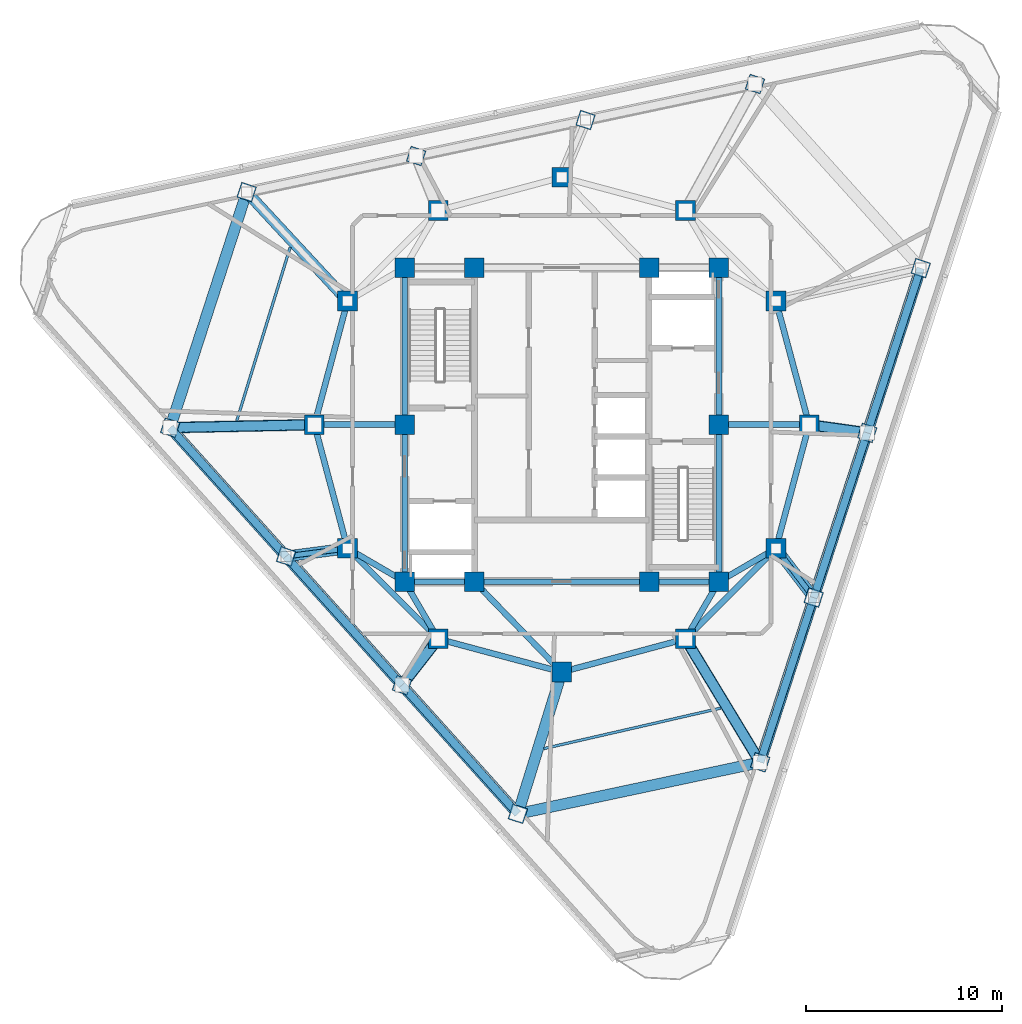
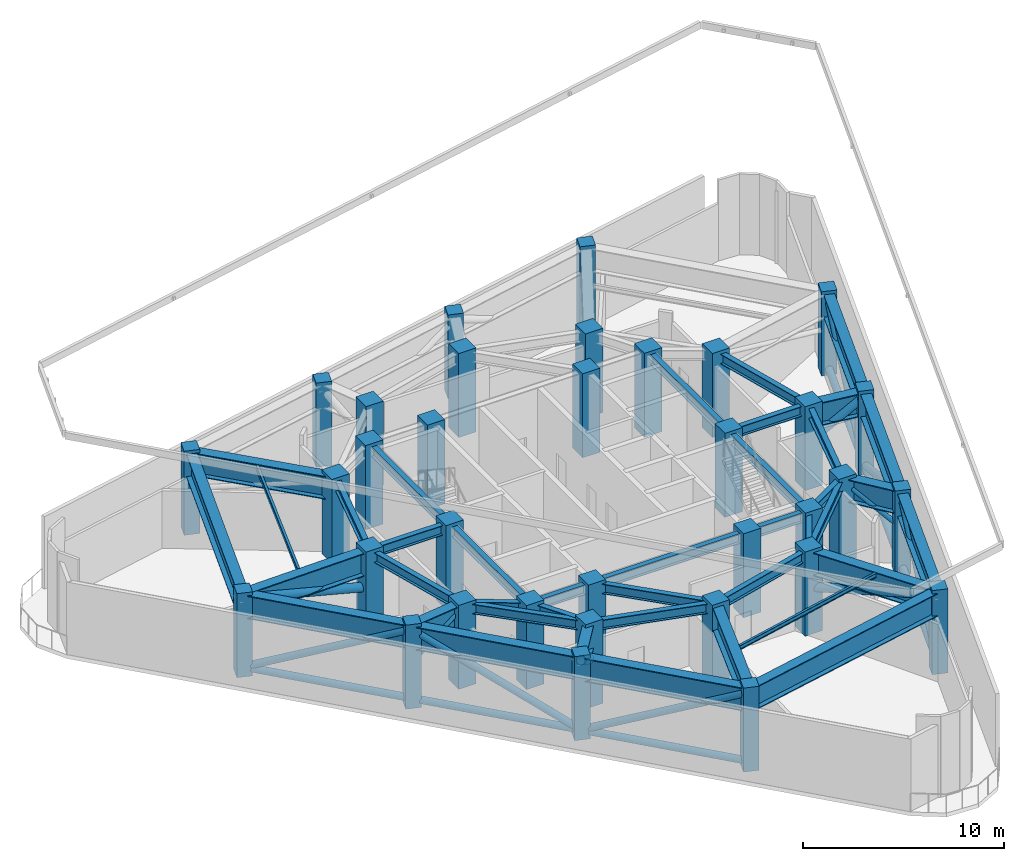
# One storey, part 1 of 10: 40 beams, 34 columns, 18 members.
"""IFC4 building model written with IfcOpenShell, lengths in metres."""

from ifc_helpers import new_model, si_unit, direction, frame, origin, origin_2d, place, context, subcontext, project, spatial, rectangle, hollow_circle, i_section, extrude, material, material_profile, profile_set, type_object, element, save


model = new_model("IFC4")

# Units and contexts
model_context = context("Model", 3, precision=1e-05, world=origin(), true_north=direction((0.0, 1.0)))
body_context = subcontext(model_context, "Body", "Model", "MODEL_VIEW")
ifc_project = project(units=[si_unit("LENGTHUNIT", "METRE"), si_unit("AREAUNIT", "SQUARE_METRE"), si_unit("VOLUMEUNIT", "CUBIC_METRE"), si_unit("PLANEANGLEUNIT", "RADIAN"), si_unit("MASSUNIT", "GRAM", prefix="KILO")], contexts=[model_context])

# Site, building, storey
site_placement = place(None, origin())
site = spatial("IfcSite", under=ifc_project, at=site_placement, CompositionType="ELEMENT")
building_placement = place(site_placement, origin())
building = spatial("IfcBuilding", under=site, at=building_placement, Name="Terralouvre Media Tower", CompositionType="ELEMENT")
storey_placement = place(building_placement, frame((0.0, 0.0, 278.10009765625)))
storey = spatial("IfcBuildingStorey", under=building, at=storey_placement, Name="L72", CompositionType="ELEMENT", Elevation=278.10009765625)

# Columns
ifc_material_1 = material(Name="Concrete C50/60", Category="concrete")
ifc_material_profile_1 = material_profile(ifc_material_1, rectangle(XDim=1.0, YDim=1.0, at=origin_2d()), Name="RC 1000x1000")
ifc_profile_set_1 = profile_set([ifc_material_profile_1], Name="Concrete C50/60")
column_type_1 = type_object("IfcColumnType", Name="Structural Column C-RC1000 (RC 1000x1000)", PredefinedType="COLUMN", material=ifc_profile_set_1)
for number, where, z_axis, x_axis, name in (
    (1, (-8.0, -8.0, 0.0), (0.0, 0.0, 1.0), (1.0, 0.0, 0.0), "L72 Core Pilaster Column CP1"),
    (2, (-4.449951171875, -8.0, 0.0), (0.0, 0.0, 1.0), (1.0, 0.0, 0.0), "L72 Core Pilaster Column CP2"),
    (3, (4.449951171875, -8.0, 0.0), (0.0, 0.0, 1.0), (1.0, 0.0, 0.0), "L72 Core Pilaster Column CP10"),
    (4, (8.0, -8.0, 0.0), (0.0, 0.0, 1.0), (1.0, 0.0, 0.0), "L72 Core Pilaster Column CP3"),
    (5, (8.0, 0.0, 0.0), (0.0, 0.0, 1.0), (1.0, 0.0, 0.0), "L72 Core Pilaster Column CP4"),
    (6, (8.0, 8.0, 0.0), (0.0, 0.0, 1.0), (1.0, 0.0, 0.0), "L72 Core Pilaster Column CP5"),
    (7, (4.449951171875, 8.0, 0.0), (0.0, 0.0, 1.0), (1.0, 0.0, 0.0), "L72 Core Pilaster Column CP9"),
    (8, (-4.449951171875, 8.0, 0.0), (0.0, 0.0, 1.0), (1.0, 0.0, 0.0), "L72 Core Pilaster Column CP6"),
    (9, (-8.0, 8.0, 0.0), (0.0, 0.0, 1.0), (1.0, 0.0, 0.0), "L72 Core Pilaster Column CP7"),
    (10, (-8.0, 0.0, 0.0), (0.0, 0.0, 1.0), (1.0, 0.0, 0.0), "L72 Core Pilaster Column CP8"),
    (11, (12.60009765625, 0.0, 0.0), (0.0, 0.0, 1.0), (1.0, 0.0, 0.0), "L72 Mega-Frame Column MC01"),
    (12, (10.911865234375, 6.300048828125, 0.0), (0.0, 0.0, 1.0), (1.0, 0.0, 0.0), "L72 Mega-Frame Column MC02"),
    (13, (6.300048828125, 10.911865234375, 0.0), (0.0, 0.0, 1.0), (1.0, 0.0, 0.0), "L72 Mega-Frame Column MC03"),
    (14, (0.0, 12.60009765625, 0.0), (0.0, 0.0, 1.0), (1.0, 0.0, 0.0), "L72 Mega-Frame Column MC04"),
    (15, (-6.300048828125, 10.911865234375, 0.0), (0.0, 0.0, 1.0), (1.0, 0.0, 0.0), "L72 Mega-Frame Column MC05"),
    (16, (-10.911865234375, 6.300048828125, 0.0), (0.0, 0.0, 1.0), (1.0, 0.0, 0.0), "L72 Mega-Frame Column MC06"),
    (17, (-12.60009765625, 0.0, 0.0), (0.0, 0.0, 1.0), (1.0, 0.0, 0.0), "L72 Mega-Frame Column MC07"),
    (18, (-10.911865234375, -6.300048828125, 0.0), (0.0, 0.0, 1.0), (1.0, 0.0, 0.0), "L72 Mega-Frame Column MC08"),
    (19, (-6.300048828125, -10.911865234375, 0.0), (0.0, 0.0, 1.0), (1.0, 0.0, 0.0), "L72 Mega-Frame Column MC09"),
    (20, (0.0, -12.60009765625, 0.0), (0.0, 0.0, 1.0), (1.0, 0.0, 0.0), "L72 Mega-Frame Column MC10"),
    (21, (6.300048828125, -10.911865234375, 0.0), (0.0, 0.0, 1.0), (1.0, 0.0, 0.0), "L72 Mega-Frame Column MC11"),
    (22, (10.911865234375, -6.300048828125, 0.0), (0.0, 0.0, 1.0), (1.0, 0.0, 0.0), "L72 Mega-Frame Column MC12"),
):
    element("IfcColumn", number, at=place(storey_placement, frame(where, z_axis=z_axis, x_axis=x_axis)), inside=storey, type_object=column_type_1, Name=name, PredefinedType="COLUMN", context=body_context, shape_type="SweptSolid", body=[
        extrude(rectangle(XDim=1.0, YDim=1.0, at=origin_2d()), origin(), (0.0, 0.0, 1.0), 5.099853515625),
    ])
ifc_material_2 = material(Name="Concrete C50/60", Category="concrete")
ifc_material_profile_2 = material_profile(ifc_material_2, rectangle(XDim=0.800048828125, YDim=0.800048828125, at=origin_2d()), Name="RC 800x800")
ifc_profile_set_2 = profile_set([ifc_material_profile_2], Name="Concrete C50/60")
column_type_2 = type_object("IfcColumnType", Name="Structural Column C-RC800 (RC 800x800)", PredefinedType="COLUMN", material=ifc_profile_set_2)
for number, where, z_axis, x_axis, name in (
    (23, (10.105712890625, -17.20068359375, 0.0), (0.0, 0.0, 1.0), (0.309016994375, 0.951056516295, 0.0), "L72 Perimeter Mega-Column PC11"),
    (24, (12.83251953125, -8.80859375, 0.0), (0.0, 0.0, 1.0), (0.309016994375, 0.951056516295, 0.0), "L72 Perimeter Mega-Column PC12"),
    (25, (15.55908203125, -0.41650390625, 0.0), (0.0, 0.0, 1.0), (0.309016994375, 0.951056516295, 0.0), "L72 Perimeter Mega-Column PC13"),
    (26, (18.285888671875, 7.9755859375, 0.0), (0.0, 0.0, 1.0), (0.309016994375, 0.951056516295, 0.0), "L72 Perimeter Mega-Column PC14"),
    (27, (9.843505859375, 17.35205078125, 0.0), (0.0, 0.0, 1.0), (0.309016994375, 0.951056516295, 0.0), "L72 Perimeter Mega-Column PC21"),
    (28, (1.212158203125, 15.517578125, 0.0), (0.0, 0.0, 1.0), (0.309016994375, 0.951056516295, 0.0), "L72 Perimeter Mega-Column PC22"),
    (29, (-7.4189453125, 13.682861328125, 0.0), (0.0, 0.0, 1.0), (0.309016994375, 0.951056516295, 0.0), "L72 Perimeter Mega-Column PC23"),
    (30, (-16.050048828125, 11.84814453125, 0.0), (0.0, 0.0, 1.0), (0.309016994375, 0.951056516295, 0.0), "L72 Perimeter Mega-Column PC24"),
    (31, (-19.948974609375, -0.1513671875, 0.0), (0.0, 0.0, 1.0), (0.309016994375, 0.951056516295, 0.0), "L72 Perimeter Mega-Column PC31"),
    (32, (-14.044677734375, -6.708984375, 0.0), (0.0, 0.0, 1.0), (0.309016994375, 0.951056516295, 0.0), "L72 Perimeter Mega-Column PC32"),
    (33, (-8.14013671875, -13.266357421875, 0.0), (0.0, 0.0, 1.0), (0.309016994375, 0.951056516295, 0.0), "L72 Perimeter Mega-Column PC33"),
    (34, (-2.23583984375, -19.823974609375, 0.0), (0.0, 0.0, 1.0), (0.309016994375, 0.951056516295, 0.0), "L72 Perimeter Mega-Column PC34"),
):
    element("IfcColumn", number, at=place(storey_placement, frame(where, z_axis=z_axis, x_axis=x_axis)), inside=storey, type_object=column_type_2, Name=name, PredefinedType="COLUMN", context=body_context, shape_type="SweptSolid", body=[
        extrude(rectangle(XDim=0.800048828125, YDim=0.800048828125, at=origin_2d()), origin(), (0.0, 0.0, 1.0), 5.099853515625),
    ])

# Members
ifc_material_3 = material(Name="Structural steel S460M", Category="steel")
ifc_material_profile_3 = material_profile(ifc_material_3, hollow_circle(Radius=0.203125, WallThickness=0.02001953125, at=origin_2d()), Name="CHS 406.4x20")
ifc_profile_set_3 = profile_set([ifc_material_profile_3], Name="Structural steel S460M")
member_type_1 = type_object("IfcMemberType", Name="Belt and Outrigger Brace BR-CHS406 (CHS 406.4x20)", PredefinedType="BRACE", material=ifc_profile_set_3)
for number, where, z_axis, x_axis, name in (
    (35, (10.105712890625, -17.20068359375, 0.349853515625), (0.279027862687, 0.858743285165, 0.429771360176), (-0.95105480575, 0.309022258842, 0.0), "L72 Belt-Truss Diagonal Brace BT01"),
    (36, (12.83251953125, -8.80859375, 4.5498046875), (0.279004825136, 0.858749271063, -0.429774355911), (-0.951062936992, 0.308997232802, 0.0), "L72 Belt-Truss Diagonal Brace BT02"),
    (37, (15.55908203125, -0.41650390625, 0.349853515625), (0.279027862687, 0.858743285165, 0.429771360176), (-0.95105480575, 0.309022258842, 0.0), "L72 Belt-Truss Diagonal Brace BT03"),
    (38, (-19.948974609375, -0.1513671875, 0.349853515625), (0.604171819396, -0.671024440497, 0.429770418833), (0.743156555935, 0.669117578136, 0.0), "L72 Belt-Truss Diagonal Brace BT07"),
    (39, (-14.044677734375, -6.708984375, 4.5498046875), (0.604197810404, -0.671000578443, -0.42977113634), (0.743130409887, 0.669146616148, 0.0), "L72 Belt-Truss Diagonal Brace BT08"),
    (40, (-8.14013671875, -13.266357421875, 0.349853515625), (0.604171819396, -0.671024440497, 0.429770418833), (0.743156555935, 0.669117578136, 0.0), "L72 Belt-Truss Diagonal Brace BT09"),
):
    element("IfcMember", number, at=place(storey_placement, frame(where, z_axis=z_axis, x_axis=x_axis)), inside=storey, type_object=member_type_1, Name=name, PredefinedType="BRACE", context=body_context, shape_type="SweptSolid", body=[
        extrude(hollow_circle(Radius=0.203125, WallThickness=0.02001953125, at=origin_2d()), origin(), (0.0, 0.0, 1.0), 9.7724609375),
    ])
ifc_material_4 = material(Name="Structural steel S460M", Category="steel")
ifc_material_profile_4 = material_profile(ifc_material_4, hollow_circle(Radius=0.25390625, WallThickness=0.02490234375, at=origin_2d()), Name="CHS 508x25")
ifc_profile_set_4 = profile_set([ifc_material_profile_4], Name="Structural steel S460M")
member_type_2 = type_object("IfcMemberType", Name="Belt and Outrigger Brace BR-CHS508 (CHS 508x25)", PredefinedType="BRACE", material=ifc_profile_set_4)
member_1_placement = place(storey_placement, frame((6.300048828125, -10.911865234375, 2.5498046875), z_axis=(0.499569022005, -0.825532360651, 0.262539737507), x_axis=(0.855543827415, 0.517730392552, 0.0)))
element("IfcMember", 41, at=member_1_placement, inside=storey, type_object=member_type_2, Name="L72 Outrigger Diagonal Brace OR01", PredefinedType="BRACE", context=body_context, shape_type="SweptSolid", body=[
    extrude(hollow_circle(Radius=0.25390625, WallThickness=0.02490234375, at=origin_2d()), origin(), (0.0, 0.0, 1.0), 7.617919921875),
])
member_2_placement = place(storey_placement, frame((12.60009765625, 0.0, 2.5498046875), z_axis=(0.82292286354, -0.115833861815, 0.556219810076), x_axis=(0.139385022682, 0.990238261961, 0.0)))
element("IfcMember", 42, at=member_2_placement, inside=storey, type_object=member_type_2, Name="L72 Outrigger Diagonal Brace OR02", PredefinedType="BRACE", context=body_context, shape_type="SweptSolid", body=[
    extrude(hollow_circle(Radius=0.25390625, WallThickness=0.02490234375, at=origin_2d()), origin(), (0.0, 0.0, 1.0), 3.595703125),
])
member_3_placement = place(storey_placement, frame((-12.60009765625, 0.0, 2.5498046875), z_axis=(-0.964714463811, -0.019870534785, 0.262547453159), x_axis=(0.020592954534, -0.999787942628, 0.0)))
element("IfcMember", 43, at=member_3_placement, inside=storey, type_object=member_type_2, Name="L72 Outrigger Diagonal Brace OR05", PredefinedType="BRACE", context=body_context, shape_type="SweptSolid", body=[
    extrude(hollow_circle(Radius=0.25390625, WallThickness=0.02490234375, at=origin_2d()), origin(), (0.0, 0.0, 1.0), 7.61767578125),
])
member_4_placement = place(storey_placement, frame((-6.300048828125, -10.911865234375, 2.5498046875), z_axis=(-0.511736914616, -0.654795118025, 0.556209208509), x_axis=(0.787920316867, -0.615777211554, 0.0)))
element("IfcMember", 44, at=member_4_placement, inside=storey, type_object=member_type_2, Name="L72 Outrigger Diagonal Brace OR06", PredefinedType="BRACE", context=body_context, shape_type="SweptSolid", body=[
    extrude(hollow_circle(Radius=0.25390625, WallThickness=0.02490234375, at=origin_2d()), origin(), (0.0, 0.0, 1.0), 3.595703125),
])

# Beams
ifc_material_5 = material(Name="Structural steel S355J2", Category="steel")
ifc_material_profile_5 = material_profile(ifc_material_5, i_section(OverallWidth=0.135009765625, OverallDepth=0.27001953125, WebThickness=0.006591796875, FlangeThickness=0.01025390625, at=origin_2d()), Name="IPE 270")
ifc_profile_set_5 = profile_set([ifc_material_profile_5], Name="Structural steel S355J2")
beam_type_1 = type_object("IfcBeamType", Name="Composite Floor Joist J-IPE270 (IPE 270)", PredefinedType="JOIST", material=ifc_profile_set_5)
beam_1_placement = place(storey_placement, frame((-0.916259765625, -16.50146484375, 4.764892578125), z_axis=(0.974792337214, 0.223114094823, 0.0), x_axis=(-0.223114094823, 0.974792337214, 0.0)))
element("IfcBeam", 45, at=beam_1_placement, inside=storey, type_object=beam_type_1, Name="L72 Framing Beam JT-L72-02", PredefinedType="JOIST", context=body_context, shape_type="SweptSolid", body=[
    extrude(i_section(OverallWidth=0.135009765625, OverallDepth=0.27001953125, WebThickness=0.006591796875, FlangeThickness=0.01025390625, at=origin_2d()), origin(), (0.0, 0.0, 1.0), 9.25732421875),
])
beam_2_placement = place(storey_placement, frame((-13.83251953125, 9.044189453125, 4.764892578125), z_axis=(-0.294195189571, -0.955745358573, 0.0), x_axis=(0.955745358573, -0.294195189571, 0.0)))
element("IfcBeam", 46, at=beam_2_placement, inside=storey, type_object=beam_type_1, Name="L72 Framing Beam JT-L72-06", PredefinedType="JOIST", context=body_context, shape_type="SweptSolid", body=[
    extrude(i_section(OverallWidth=0.135009765625, OverallDepth=0.27001953125, WebThickness=0.006591796875, FlangeThickness=0.01025390625, at=origin_2d()), origin(), (0.0, 0.0, 1.0), 9.257080078125),
])

# Members
ifc_material_6 = material(Name="Structural steel S355J2", Category="steel")
ifc_material_profile_6 = material_profile(ifc_material_6, hollow_circle(Radius=0.136474609375, WallThickness=0.012451171875, at=origin_2d()), Name="CHS 273x12.5")
ifc_profile_set_6 = profile_set([ifc_material_profile_6], Name="Structural steel S355J2")
member_type_3 = type_object("IfcMemberType", Name="Portal Knee-Brace Strut ST-CHS273 (CHS 273x12.5)", PredefinedType="STRUT", material=ifc_profile_set_6)
for number, where, z_axis, x_axis, name in (
    (47, (10.911865234375, -6.300048828125, 4.5498046875), (0.513652077044, -0.670875186428, -0.534871973452), (0.793997978086, 0.607920398404, 0.0), "L72 Refuge Outrigger Knee-Brace Strut 16"),
    (48, (-10.911865234375, -6.300048828125, 4.5498046875), (-0.837825846738, -0.109363956771, -0.534871363504), (0.129434986756, -0.991587910477, 0.0), "L72 Refuge Outrigger Knee-Brace Strut 20"),
):
    element("IfcMember", number, at=place(storey_placement, frame(where, z_axis=z_axis, x_axis=x_axis)), inside=storey, type_object=member_type_3, Name=name, PredefinedType="STRUT", context=body_context, shape_type="SweptSolid", body=[
        extrude(hollow_circle(Radius=0.136474609375, WallThickness=0.012451171875, at=origin_2d()), origin(), (0.0, 0.0, 1.0), 3.7392578125),
    ])

# Beams
ifc_material_7 = material(Name="Structural steel S460M", Category="steel")
ifc_material_profile_7 = material_profile(ifc_material_7, i_section(OverallWidth=0.300048828125, OverallDepth=0.60009765625, WebThickness=0.015380859375, FlangeThickness=0.030029296875, at=origin_2d()), Name="HEB 600")
ifc_profile_set_7 = profile_set([ifc_material_profile_7], Name="Structural steel S460M")
beam_type_2 = type_object("IfcBeamType", Name="Primary Floor Girder B-HEB600 (HEB 600)", PredefinedType="BEAM", material=ifc_profile_set_7)
beam_3_placement = place(storey_placement, frame((-8.0, -8.0, 4.599853515625), z_axis=(1.0, 0.0, 0.0), x_axis=(0.0, 1.0, 0.0)))
element("IfcBeam", 49, at=beam_3_placement, inside=storey, type_object=beam_type_2, Name="L72 Framing Beam BM-L72-CPR01", PredefinedType="BEAM", context=body_context, shape_type="SweptSolid", body=[
    extrude(i_section(OverallWidth=0.300048828125, OverallDepth=0.60009765625, WebThickness=0.015380859375, FlangeThickness=0.030029296875, at=origin_2d()), origin(), (0.0, 0.0, 1.0), 3.550048828125),
])
beam_4_placement = place(storey_placement, frame((-4.449951171875, -8.0, 4.599853515625), z_axis=(1.0, 0.0, 0.0), x_axis=(0.0, 1.0, 0.0)))
element("IfcBeam", 50, at=beam_4_placement, inside=storey, type_object=beam_type_2, Name="L72 Framing Beam BM-L72-CPR02", PredefinedType="BEAM", context=body_context, shape_type="SweptSolid", body=[
    extrude(i_section(OverallWidth=0.300048828125, OverallDepth=0.60009765625, WebThickness=0.015380859375, FlangeThickness=0.030029296875, at=origin_2d()), origin(), (0.0, 0.0, 1.0), 8.89990234375),
])
beam_5_placement = place(storey_placement, frame((4.449951171875, -8.0, 4.599853515625), z_axis=(1.0, 0.0, 0.0), x_axis=(0.0, 1.0, 0.0)))
element("IfcBeam", 51, at=beam_5_placement, inside=storey, type_object=beam_type_2, Name="L72 Framing Beam BM-L72-CPR03", PredefinedType="BEAM", context=body_context, shape_type="SweptSolid", body=[
    extrude(i_section(OverallWidth=0.300048828125, OverallDepth=0.60009765625, WebThickness=0.015380859375, FlangeThickness=0.030029296875, at=origin_2d()), origin(), (0.0, 0.0, 1.0), 3.550048828125),
])
for number, where, z_axis, x_axis, name in (
    (52, (8.0, -8.0, 4.599853515625), (0.0, 1.0, 0.0), (-1.0, 0.0, 0.0), "L72 Framing Beam BM-L72-CPR04"),
    (53, (8.0, 0.0, 4.599853515625), (0.0, 1.0, 0.0), (-1.0, 0.0, 0.0), "L72 Framing Beam BM-L72-CPR05"),
    (54, (-8.0, 8.0, 4.599853515625), (0.0, -1.0, 0.0), (1.0, 0.0, 0.0), "L72 Framing Beam BM-L72-CPR09"),
    (55, (-8.0, 0.0, 4.599853515625), (0.0, -1.0, 0.0), (1.0, 0.0, 0.0), "L72 Framing Beam BM-L72-CPR10"),
):
    element("IfcBeam", number, at=place(storey_placement, frame(where, z_axis=z_axis, x_axis=x_axis)), inside=storey, type_object=beam_type_2, Name=name, PredefinedType="BEAM", context=body_context, shape_type="SweptSolid", body=[
        extrude(i_section(OverallWidth=0.300048828125, OverallDepth=0.60009765625, WebThickness=0.015380859375, FlangeThickness=0.030029296875, at=origin_2d()), origin(), (0.0, 0.0, 1.0), 8.0),
    ])
beam_6_placement = place(storey_placement, frame((-10.911865234375, -6.300048828125, 4.599853515625), z_axis=(0.707106781187, -0.707106781187, 0.0), x_axis=(0.707106781187, 0.707106781187, 0.0)))
element("IfcBeam", 56, at=beam_6_placement, inside=storey, type_object=beam_type_2, Name="L72 Framing Beam BM-L72-MR01", PredefinedType="BEAM", context=body_context, shape_type="SweptSolid", body=[
    extrude(i_section(OverallWidth=0.300048828125, OverallDepth=0.60009765625, WebThickness=0.015380859375, FlangeThickness=0.030029296875, at=origin_2d()), origin(), (0.0, 0.0, 1.0), 6.52197265625),
])
for number, where, z_axis, x_axis, name in (
    (57, (-6.300048828125, -10.911865234375, 4.599853515625), (0.965920481897, -0.258838989821, 0.0), (0.258838989821, 0.965920481897, 0.0), "L72 Framing Beam BM-L72-MR02"),
    (58, (0.0, -12.60009765625, 4.599853515625), (0.965920481897, 0.258838989821, 0.0), (-0.258838989821, 0.965920481897, 0.0), "L72 Framing Beam BM-L72-MR03"),
):
    element("IfcBeam", number, at=place(storey_placement, frame(where, z_axis=z_axis, x_axis=x_axis)), inside=storey, type_object=beam_type_2, Name=name, PredefinedType="BEAM", context=body_context, shape_type="SweptSolid", body=[
        extrude(i_section(OverallWidth=0.300048828125, OverallDepth=0.60009765625, WebThickness=0.015380859375, FlangeThickness=0.030029296875, at=origin_2d()), origin(), (0.0, 0.0, 1.0), 6.522216796875),
    ])
beam_7_placement = place(storey_placement, frame((6.300048828125, -10.911865234375, 4.599853515625), z_axis=(0.707106781187, 0.707106781187, 0.0), x_axis=(-0.707106781187, 0.707106781187, 0.0)))
element("IfcBeam", 59, at=beam_7_placement, inside=storey, type_object=beam_type_2, Name="L72 Framing Beam BM-L72-MR04", PredefinedType="BEAM", context=body_context, shape_type="SweptSolid", body=[
    extrude(i_section(OverallWidth=0.300048828125, OverallDepth=0.60009765625, WebThickness=0.015380859375, FlangeThickness=0.030029296875, at=origin_2d()), origin(), (0.0, 0.0, 1.0), 6.52197265625),
])
for number, where, z_axis, x_axis, name in (
    (60, (10.911865234375, -6.300048828125, 4.599853515625), (0.258838989821, 0.965920481897, 0.0), (-0.965920481897, 0.258838989821, 0.0), "L72 Framing Beam BM-L72-MR05"),
    (61, (12.60009765625, 0.0, 4.599853515625), (-0.258838989821, 0.965920481897, 0.0), (-0.965920481897, -0.258838989821, 0.0), "L72 Framing Beam BM-L72-MR06"),
    (62, (-10.911865234375, 6.300048828125, 4.599853515625), (-0.258838989821, -0.965920481897, 0.0), (0.965920481897, -0.258838989821, 0.0), "L72 Framing Beam BM-L72-MR11"),
    (63, (-12.60009765625, 0.0, 4.599853515625), (0.258838989821, -0.965920481897, 0.0), (0.965920481897, 0.258838989821, 0.0), "L72 Framing Beam BM-L72-MR12"),
):
    element("IfcBeam", number, at=place(storey_placement, frame(where, z_axis=z_axis, x_axis=x_axis)), inside=storey, type_object=beam_type_2, Name=name, PredefinedType="BEAM", context=body_context, shape_type="SweptSolid", body=[
        extrude(i_section(OverallWidth=0.300048828125, OverallDepth=0.60009765625, WebThickness=0.015380859375, FlangeThickness=0.030029296875, at=origin_2d()), origin(), (0.0, 0.0, 1.0), 6.522216796875),
    ])
for number, where, z_axis, x_axis, name in (
    (64, (-8.0, -8.0, 4.599853515625), (-0.863602894532, 0.504172629717, 0.0), (-0.504172629717, -0.863602894532, 0.0), "L72 Framing Beam BM-L72-CM01"),
    (65, (-8.0, -8.0, 4.599853515625), (0.504172629717, -0.863602894532, 0.0), (0.863602894532, 0.504172629717, 0.0), "L72 Framing Beam BM-L72-CM02"),
):
    element("IfcBeam", number, at=place(storey_placement, frame(where, z_axis=z_axis, x_axis=x_axis)), inside=storey, type_object=beam_type_2, Name=name, PredefinedType="BEAM", context=body_context, shape_type="SweptSolid", body=[
        extrude(i_section(OverallWidth=0.300048828125, OverallDepth=0.60009765625, WebThickness=0.015380859375, FlangeThickness=0.030029296875, at=origin_2d()), origin(), (0.0, 0.0, 1.0), 3.371826171875),
    ])
beam_8_placement = place(storey_placement, frame((-4.449951171875, -8.0, 4.599853515625), z_axis=(0.695279715726, -0.718739255155, 0.0), x_axis=(0.718739255155, 0.695279715726, 0.0)))
element("IfcBeam", 66, at=beam_8_placement, inside=storey, type_object=beam_type_2, Name="L72 Framing Beam BM-L72-CM03", PredefinedType="BEAM", context=body_context, shape_type="SweptSolid", body=[
    extrude(i_section(OverallWidth=0.300048828125, OverallDepth=0.60009765625, WebThickness=0.015380859375, FlangeThickness=0.030029296875, at=origin_2d()), origin(), (0.0, 0.0, 1.0), 6.400146484375),
])
for number, where, z_axis, x_axis, name in (
    (67, (8.0, -8.0, 4.599853515625), (-0.504172629717, -0.863602894532, 0.0), (0.863602894532, -0.504172629717, 0.0), "L72 Framing Beam BM-L72-CM04"),
    (68, (8.0, -8.0, 4.599853515625), (0.863602894532, 0.504172629717, 0.0), (-0.504172629717, 0.863602894532, 0.0), "L72 Framing Beam BM-L72-CM05"),
):
    element("IfcBeam", number, at=place(storey_placement, frame(where, z_axis=z_axis, x_axis=x_axis)), inside=storey, type_object=beam_type_2, Name=name, PredefinedType="BEAM", context=body_context, shape_type="SweptSolid", body=[
        extrude(i_section(OverallWidth=0.300048828125, OverallDepth=0.60009765625, WebThickness=0.015380859375, FlangeThickness=0.030029296875, at=origin_2d()), origin(), (0.0, 0.0, 1.0), 3.371826171875),
    ])
for number, where, z_axis, x_axis, name in (
    (69, (8.0, 0.0, 4.599853515625), (1.0, 0.0, 0.0), (0.0, 1.0, 0.0), "L72 Framing Beam BM-L72-CM06"),
    (70, (-8.0, 0.0, 4.599853515625), (-1.0, 0.0, 0.0), (0.0, -1.0, 0.0), "L72 Framing Beam BM-L72-CM12"),
):
    element("IfcBeam", number, at=place(storey_placement, frame(where, z_axis=z_axis, x_axis=x_axis)), inside=storey, type_object=beam_type_2, Name=name, PredefinedType="BEAM", context=body_context, shape_type="SweptSolid", body=[
        extrude(i_section(OverallWidth=0.300048828125, OverallDepth=0.60009765625, WebThickness=0.015380859375, FlangeThickness=0.030029296875, at=origin_2d()), origin(), (0.0, 0.0, 1.0), 4.60009765625),
    ])

# Members
ifc_material_8 = material(Name="Structural steel S460M", Category="steel")
ifc_material_profile_8 = material_profile(ifc_material_8, hollow_circle(Radius=0.203125, WallThickness=0.02001953125, at=origin_2d()), Name="CHS 406.4x20")
ifc_profile_set_8 = profile_set([ifc_material_profile_8], Name="Structural steel S460M")
member_type_4 = type_object("IfcMemberType", Name="Truss Chord Member CH-CHS406 (CHS 406.4x20)", PredefinedType="CHORD", material=ifc_profile_set_8)
for number, where, z_axis, x_axis, name in (
    (71, (10.105712890625, -17.20068359375, 0.349853515625), (0.309022258842, 0.95105480575, 0.0), (-0.95105480575, 0.309022258842, 0.0), "L72 Belt-Truss Bottom Chord 01"),
    (72, (12.83251953125, -8.80859375, 0.349853515625), (0.308997232802, 0.951062936992, 0.0), (-0.951062936992, 0.308997232802, 0.0), "L72 Belt-Truss Bottom Chord 02"),
    (73, (15.55908203125, -0.41650390625, 0.349853515625), (0.309022258842, 0.95105480575, 0.0), (-0.95105480575, 0.309022258842, 0.0), "L72 Belt-Truss Bottom Chord 03"),
    (74, (-19.948974609375, -0.1513671875, 0.349853515625), (0.669117578136, -0.743156555935, 0.0), (0.743156555935, 0.669117578136, 0.0), "L72 Belt-Truss Bottom Chord 07"),
    (75, (-14.044677734375, -6.708984375, 0.349853515625), (0.669146616148, -0.743130409887, 0.0), (0.743130409887, 0.669146616148, 0.0), "L72 Belt-Truss Bottom Chord 08"),
    (76, (-8.14013671875, -13.266357421875, 0.349853515625), (0.669117578136, -0.743156555935, 0.0), (0.743156555935, 0.669117578136, 0.0), "L72 Belt-Truss Bottom Chord 09"),
):
    element("IfcMember", number, at=place(storey_placement, frame(where, z_axis=z_axis, x_axis=x_axis)), inside=storey, type_object=member_type_4, Name=name, PredefinedType="CHORD", context=body_context, shape_type="SweptSolid", body=[
        extrude(hollow_circle(Radius=0.203125, WallThickness=0.02001953125, at=origin_2d()), origin(), (0.0, 0.0, 1.0), 8.823974609375),
    ])

# Beams
ifc_material_9 = material(Name="Structural steel S460M", Category="steel")
ifc_material_profile_9 = material_profile(ifc_material_9, i_section(OverallWidth=0.56005859375, OverallDepth=1.39990234375, WebThickness=0.031982421875, FlangeThickness=0.050048828125, at=origin_2d()), Name="TG 1400x560")
ifc_profile_set_9 = profile_set([ifc_material_profile_9], Name="Structural steel S460M")
beam_type_3 = type_object("IfcBeamType", Name="Welded Transfer Girder TG-1400 (TG 1400x560)", PredefinedType="USERDEFINED", material=ifc_profile_set_9)
for number, where, z_axis, x_axis, name in (
    (77, (-19.948974609375, -0.1513671875, 4.199951171875), (0.669117578136, -0.743156555935, 0.0), (0.743156555935, 0.669117578136, 0.0), "L72 Framing Beam BM-L72-PR01"),
    (78, (-14.044677734375, -6.708984375, 4.199951171875), (0.669146616148, -0.743130409887, 0.0), (0.743130409887, 0.669146616148, 0.0), "L72 Framing Beam BM-L72-PR02"),
    (79, (-8.14013671875, -13.266357421875, 4.199951171875), (0.669117578136, -0.743156555935, 0.0), (0.743156555935, 0.669117578136, 0.0), "L72 Framing Beam BM-L72-PR03"),
):
    element("IfcBeam", number, at=place(storey_placement, frame(where, z_axis=z_axis, x_axis=x_axis)), inside=storey, type_object=beam_type_3, Name=name, ObjectType="TRANSFER GIRDER", PredefinedType="USERDEFINED", context=body_context, shape_type="SweptSolid", body=[
        extrude(i_section(OverallWidth=0.56005859375, OverallDepth=1.39990234375, WebThickness=0.031982421875, FlangeThickness=0.050048828125, at=origin_2d()), origin(), (0.0, 0.0, 1.0), 8.823974609375),
    ])
beam_9_placement = place(storey_placement, frame((-2.23583984375, -19.823974609375, 4.199951171875), z_axis=(0.978147391184, 0.207912676669, 0.0), x_axis=(-0.207912676669, 0.978147391184, 0.0)))
element("IfcBeam", 80, at=beam_9_placement, inside=storey, type_object=beam_type_3, Name="L72 Framing Beam BM-L72-PR04", ObjectType="TRANSFER GIRDER", PredefinedType="USERDEFINED", context=body_context, shape_type="SweptSolid", body=[
    extrude(i_section(OverallWidth=0.56005859375, OverallDepth=1.39990234375, WebThickness=0.031982421875, FlangeThickness=0.050048828125, at=origin_2d()), origin(), (0.0, 0.0, 1.0), 12.6171875),
])
for number, where, z_axis, x_axis, name in (
    (81, (10.105712890625, -17.20068359375, 4.199951171875), (0.309022258842, 0.95105480575, 0.0), (-0.95105480575, 0.309022258842, 0.0), "L72 Framing Beam BM-L72-PR05"),
    (82, (12.83251953125, -8.80859375, 4.199951171875), (0.308997232802, 0.951062936992, 0.0), (-0.951062936992, 0.308997232802, 0.0), "L72 Framing Beam BM-L72-PR06"),
):
    element("IfcBeam", number, at=place(storey_placement, frame(where, z_axis=z_axis, x_axis=x_axis)), inside=storey, type_object=beam_type_3, Name=name, ObjectType="TRANSFER GIRDER", PredefinedType="USERDEFINED", context=body_context, shape_type="SweptSolid", body=[
        extrude(i_section(OverallWidth=0.56005859375, OverallDepth=1.39990234375, WebThickness=0.031982421875, FlangeThickness=0.050048828125, at=origin_2d()), origin(), (0.0, 0.0, 1.0), 8.823974609375),
    ])
beam_10_placement = place(storey_placement, frame((15.55908203125, -0.41650390625, 4.199951171875), z_axis=(0.309014127542, 0.951057447781, 0.0), x_axis=(-0.951057447781, 0.309014127542, 0.0)))
element("IfcBeam", 83, at=beam_10_placement, inside=storey, type_object=beam_type_3, Name="L72 Framing Beam BM-L72-PR07", ObjectType="TRANSFER GIRDER", PredefinedType="USERDEFINED", context=body_context, shape_type="SweptSolid", body=[
    extrude(i_section(OverallWidth=0.56005859375, OverallDepth=1.39990234375, WebThickness=0.031982421875, FlangeThickness=0.050048828125, at=origin_2d()), origin(), (0.0, 0.0, 1.0), 8.82421875),
])
beam_11_placement = place(storey_placement, frame((-16.050048828125, 11.84814453125, 4.199951171875), z_axis=(-0.309020441102, -0.951055396379, 0.0), x_axis=(0.951055396379, -0.309020441102, 0.0)))
element("IfcBeam", 84, at=beam_11_placement, inside=storey, type_object=beam_type_3, Name="L72 Framing Beam BM-L72-PR12", ObjectType="TRANSFER GIRDER", PredefinedType="USERDEFINED", context=body_context, shape_type="SweptSolid", body=[
    extrude(i_section(OverallWidth=0.56005859375, OverallDepth=1.39990234375, WebThickness=0.031982421875, FlangeThickness=0.050048828125, at=origin_2d()), origin(), (0.0, 0.0, 1.0), 12.616943359375),
])
beam_12_placement = place(storey_placement, frame((-12.60009765625, 0.0, 4.199951171875), z_axis=(-0.999787942628, -0.020592954534, 0.0), x_axis=(0.020592954534, -0.999787942628, 0.0)))
element("IfcBeam", 85, at=beam_12_placement, inside=storey, type_object=beam_type_3, Name="L72 Framing Beam BM-L72-RD01", ObjectType="TRANSFER GIRDER", PredefinedType="USERDEFINED", context=body_context, shape_type="SweptSolid", body=[
    extrude(i_section(OverallWidth=0.56005859375, OverallDepth=1.39990234375, WebThickness=0.031982421875, FlangeThickness=0.050048828125, at=origin_2d()), origin(), (0.0, 0.0, 1.0), 7.350341796875),
])
beam_13_placement = place(storey_placement, frame((-10.911865234375, -6.300048828125, 4.199951171875), z_axis=(-0.991587910477, -0.129434986756, 0.0), x_axis=(0.129434986756, -0.991587910477, 0.0)))
element("IfcBeam", 86, at=beam_13_placement, inside=storey, type_object=beam_type_3, Name="L72 Framing Beam BM-L72-RD02", ObjectType="TRANSFER GIRDER", PredefinedType="USERDEFINED", context=body_context, shape_type="SweptSolid", body=[
    extrude(i_section(OverallWidth=0.56005859375, OverallDepth=1.39990234375, WebThickness=0.031982421875, FlangeThickness=0.050048828125, at=origin_2d()), origin(), (0.0, 0.0, 1.0), 3.159423828125),
])
beam_14_placement = place(storey_placement, frame((-6.300048828125, -10.911865234375, 4.199951171875), z_axis=(-0.615777211554, -0.787920316867, 0.0), x_axis=(0.787920316867, -0.615777211554, 0.0)))
element("IfcBeam", 87, at=beam_14_placement, inside=storey, type_object=beam_type_3, Name="L72 Framing Beam BM-L72-RD03", ObjectType="TRANSFER GIRDER", PredefinedType="USERDEFINED", context=body_context, shape_type="SweptSolid", body=[
    extrude(i_section(OverallWidth=0.56005859375, OverallDepth=1.39990234375, WebThickness=0.031982421875, FlangeThickness=0.050048828125, at=origin_2d()), origin(), (0.0, 0.0, 1.0), 2.98828125),
])
beam_15_placement = place(storey_placement, frame((0.0, -12.60009765625, 4.199951171875), z_axis=(-0.295668996709, -0.955290450274, 0.0), x_axis=(0.955290450274, -0.295668996709, 0.0)))
element("IfcBeam", 88, at=beam_15_placement, inside=storey, type_object=beam_type_3, Name="L72 Framing Beam BM-L72-RD04", ObjectType="TRANSFER GIRDER", PredefinedType="USERDEFINED", context=body_context, shape_type="SweptSolid", body=[
    extrude(i_section(OverallWidth=0.56005859375, OverallDepth=1.39990234375, WebThickness=0.031982421875, FlangeThickness=0.050048828125, at=origin_2d()), origin(), (0.0, 0.0, 1.0), 7.56201171875),
])
beam_16_placement = place(storey_placement, frame((6.300048828125, -10.911865234375, 4.199951171875), z_axis=(0.517730392552, -0.855543827415, 0.0), x_axis=(0.855543827415, 0.517730392552, 0.0)))
element("IfcBeam", 89, at=beam_16_placement, inside=storey, type_object=beam_type_3, Name="L72 Framing Beam BM-L72-RD05", ObjectType="TRANSFER GIRDER", PredefinedType="USERDEFINED", context=body_context, shape_type="SweptSolid", body=[
    extrude(i_section(OverallWidth=0.56005859375, OverallDepth=1.39990234375, WebThickness=0.031982421875, FlangeThickness=0.050048828125, at=origin_2d()), origin(), (0.0, 0.0, 1.0), 7.3505859375),
])
beam_17_placement = place(storey_placement, frame((10.911865234375, -6.300048828125, 4.199951171875), z_axis=(0.607920398404, -0.793997978086, 0.0), x_axis=(0.793997978086, 0.607920398404, 0.0)))
element("IfcBeam", 90, at=beam_17_placement, inside=storey, type_object=beam_type_3, Name="L72 Framing Beam BM-L72-RD06", ObjectType="TRANSFER GIRDER", PredefinedType="USERDEFINED", context=body_context, shape_type="SweptSolid", body=[
    extrude(i_section(OverallWidth=0.56005859375, OverallDepth=1.39990234375, WebThickness=0.031982421875, FlangeThickness=0.050048828125, at=origin_2d()), origin(), (0.0, 0.0, 1.0), 3.159423828125),
])
beam_18_placement = place(storey_placement, frame((12.60009765625, 0.0, 4.199951171875), z_axis=(0.990238261961, -0.139385022682, 0.0), x_axis=(0.139385022682, 0.990238261961, 0.0)))
element("IfcBeam", 91, at=beam_18_placement, inside=storey, type_object=beam_type_3, Name="L72 Framing Beam BM-L72-RD07", ObjectType="TRANSFER GIRDER", PredefinedType="USERDEFINED", context=body_context, shape_type="SweptSolid", body=[
    extrude(i_section(OverallWidth=0.56005859375, OverallDepth=1.39990234375, WebThickness=0.031982421875, FlangeThickness=0.050048828125, at=origin_2d()), origin(), (0.0, 0.0, 1.0), 2.988037109375),
])
beam_19_placement = place(storey_placement, frame((-10.911865234375, 6.300048828125, 4.199951171875), z_axis=(-0.679483353105, 0.733690924609, 0.0), x_axis=(-0.733690924609, -0.679483353105, 0.0)))
element("IfcBeam", 92, at=beam_19_placement, inside=storey, type_object=beam_type_3, Name="L72 Framing Beam BM-L72-RD12", ObjectType="TRANSFER GIRDER", PredefinedType="USERDEFINED", context=body_context, shape_type="SweptSolid", body=[
    extrude(i_section(OverallWidth=0.56005859375, OverallDepth=1.39990234375, WebThickness=0.031982421875, FlangeThickness=0.050048828125, at=origin_2d()), origin(), (0.0, 0.0, 1.0), 7.56201171875),
])

save(model, "model.ifc")
